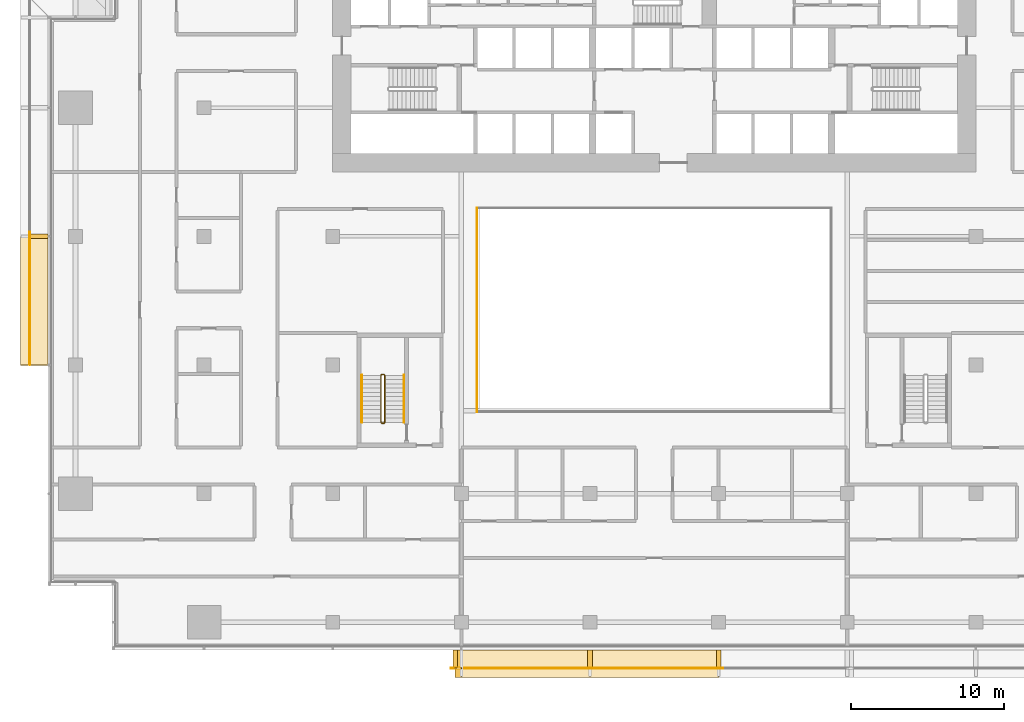
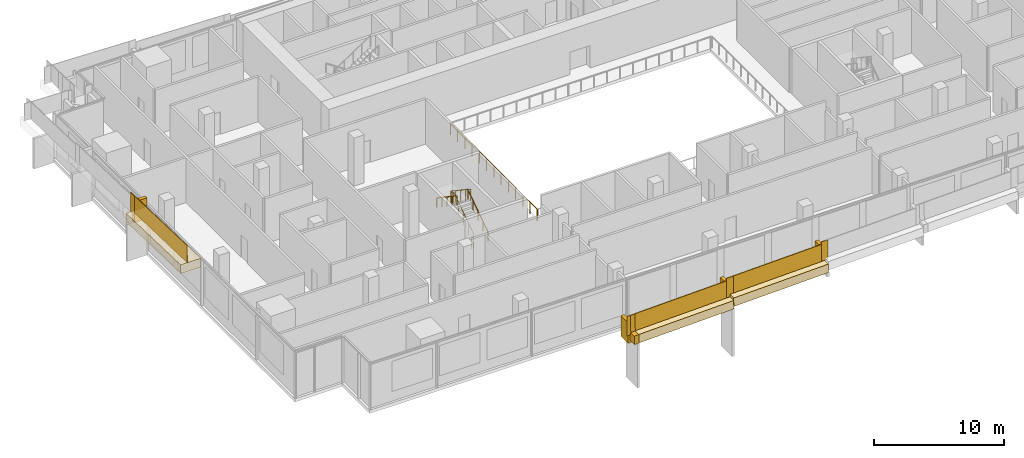
# One storey, part 20 of 24: 12 railings, 8 coverings.
"""IFC4 building model written with IfcOpenShell, lengths in metres."""

import ifcopenshell
import ifcopenshell.guid

model = None  # the IFC model being written
_history = None  # IfcOwnerHistory: only IFC2X3 demands one
_inside = {}  # id of a spatial element -> (the spatial element, [elements in it])
_under = {}  # id of a project, library or spatial element -> (it, [spatial elements below it])
_declared = {}  # id of a project -> (the project, [libraries it declares])
_typed = {}  # id of a type object -> (the type object, [elements of that type])
_made_of = {}  # id of a material, layer set ... -> (it, [elements and type objects made of it])


def new_model(schema):
    """Start an empty IFC model of exactly this schema.

    Asked for "IFC4X3", IfcOpenShell would pick the latest addendum, in which some entities
    have other attributes; the version numbers below select the first issue.
    IFC2X3 requires an IfcOwnerHistory on every rooted entity: one is made here for all.
    """
    global model, _history
    if schema == "IFC4X3":
        model = ifcopenshell.file(schema_version=(4, 3, 0, 0))
    else:
        model = ifcopenshell.file(schema=schema)
    _inside.clear()
    _under.clear()
    _declared.clear()
    _typed.clear()
    _made_of.clear()
    _history = None
    if model.schema == "IFC2X3":
        org = make("IfcOrganization", Name="unknown")
        user = make(
            "IfcPersonAndOrganization",
            ThePerson=make("IfcPerson", FamilyName="unknown"),
            TheOrganization=org,
        )
        app = make(
            "IfcApplication",
            ApplicationDeveloper=org,
            Version="unknown",
            ApplicationFullName="unknown",
            ApplicationIdentifier="unknown",
        )
        _history = make(
            "IfcOwnerHistory",
            OwningUser=user,
            OwningApplication=app,
            ChangeAction="ADDED",
            CreationDate=0,
        )
    return model


def make(cls, **values):
    """One entity of the class cls with the attributes given. An attribute that is None is left unset."""
    return model.create_entity(
        cls, **{name: value for name, value in values.items() if value is not None}
    )


def rooted(cls, **values):
    """An entity with a GlobalId (a new one), such as an element, a storey or a relation."""
    return make(cls, GlobalId=ifcopenshell.guid.new(), OwnerHistory=_history, **values)


def si_unit(unit_type, name, prefix=None):
    """IfcSIUnit, for example si_unit("LENGTHUNIT", "METRE", prefix="MILLI")."""
    return make("IfcSIUnit", UnitType=unit_type, Prefix=prefix, Name=name)


def assignment(units):
    """IfcUnitAssignment: the units of a project."""
    return None if units is None else make("IfcUnitAssignment", Units=units)


def point(xyz):
    """IfcCartesianPoint."""
    return None if xyz is None else make("IfcCartesianPoint", Coordinates=xyz)


def direction(xyz):
    """IfcDirection."""
    return None if xyz is None else make("IfcDirection", DirectionRatios=xyz)


def frame(location, z_axis=None, x_axis=None):
    """IfcAxis2Placement3D, a coordinate frame: its origin and axes. An axis left out is left unset."""
    return make(
        "IfcAxis2Placement3D",
        Location=point(location),
        Axis=direction(z_axis),
        RefDirection=direction(x_axis),
    )


def frame_2d(location, x_axis=None):
    """IfcAxis2Placement2D, a coordinate frame in the plane: its origin and x axis."""
    return make(
        "IfcAxis2Placement2D", Location=point(location), RefDirection=direction(x_axis)
    )


def origin():
    """The frame at (0, 0, 0) with its axes left unset."""
    return frame((0.0, 0.0, 0.0))


def origin_2d():
    """The frame at (0, 0) in the plane with its x axis left unset."""
    return frame_2d((0.0, 0.0))


def place(relative_to, where):
    """IfcLocalPlacement: puts the frame where relative to a parent placement (None: the world)."""
    return make(
        "IfcLocalPlacement", PlacementRelTo=relative_to, RelativePlacement=where
    )


def context(
    kind, dimensions, precision=None, world=None, true_north=None, identifier=None
):
    """IfcGeometricRepresentationContext, for example the 3D "Model" context."""
    return make(
        "IfcGeometricRepresentationContext",
        ContextIdentifier=identifier,
        ContextType=kind,
        CoordinateSpaceDimension=dimensions,
        Precision=precision,
        WorldCoordinateSystem=world,
        TrueNorth=true_north,
    )


def subcontext(parent, identifier, kind, view, scale=None):
    """IfcGeometricRepresentationSubContext, for example "Body" below "Model"."""
    return make(
        "IfcGeometricRepresentationSubContext",
        ContextIdentifier=identifier,
        ContextType=kind,
        ParentContext=parent,
        TargetScale=scale,
        TargetView=view,
    )


def project(units=None, contexts=None):
    """IfcProject with its units and contexts."""
    return rooted(
        "IfcProject",
        Name="project",
        RepresentationContexts=contexts,
        UnitsInContext=assignment(units),
    )


def spatial(cls, under=None, at=None, **own):
    """A site, building, storey or space (cls), placed at a placement, below another one or the project."""
    s = rooted(cls, ObjectPlacement=at, **own)
    if under is not None:
        _under.setdefault(under.id(), (under, []))[1].append(s)
    return s


def polyline(points):
    """IfcPolyline through the points."""
    return make("IfcPolyline", Points=[point(p) for p in points])


def profile(cls, at=None, kind="AREA", **sizes):
    """A parametric profile (cls). Its sizes go by their IFC names, for example OverallWidth=200.0."""
    return make(cls, ProfileType=kind, Position=at, **sizes)


def rectangle(**sizes):
    """IfcRectangleProfileDef."""
    return profile("IfcRectangleProfileDef", **sizes)


def circle(**sizes):
    """IfcCircleProfileDef."""
    return profile("IfcCircleProfileDef", **sizes)


def outline(outer, holes=None, kind="AREA"):
    """IfcArbitraryClosedProfileDef: a profile drawn as a closed curve; with holes, ...WithVoids."""
    if holes is None:
        return make("IfcArbitraryClosedProfileDef", ProfileType=kind, OuterCurve=outer)
    return make(
        "IfcArbitraryProfileDefWithVoids",
        ProfileType=kind,
        OuterCurve=outer,
        InnerCurves=holes,
    )


def extrude(swept, where, along, depth):
    """IfcExtrudedAreaSolid: the profile swept, set in the frame where, extruded along a direction by depth."""
    return make(
        "IfcExtrudedAreaSolid",
        SweptArea=swept,
        Position=where,
        ExtrudedDirection=direction(along),
        Depth=depth,
    )


def shape(context_of_items, identifier, shape_type, items):
    """IfcShapeRepresentation: the items that make up one representation, for example the "Body"."""
    return make(
        "IfcShapeRepresentation",
        ContextOfItems=context_of_items,
        RepresentationIdentifier=identifier,
        RepresentationType=shape_type,
        Items=items,
    )


def material(Name=None, Category=None):
    """IfcMaterial."""
    return make("IfcMaterial", Name=Name, Category=Category)


def layer(
    of_material, thickness, ventilated=None, Name=None, Category=None, Priority=None
):
    """IfcMaterialLayer: one layer of a wall or slab, of a material (None: an air gap)."""
    return make(
        "IfcMaterialLayer",
        Material=of_material,
        LayerThickness=thickness,
        IsVentilated=ventilated,
        Name=Name,
        Category=Category,
        Priority=Priority,
    )


def layer_set(layers, Name=None):
    """IfcMaterialLayerSet."""
    return make("IfcMaterialLayerSet", MaterialLayers=layers, LayerSetName=Name)


def made_of(thing, what):
    """Note that an element or type object is made of a material, layer set ...; save() writes the relation."""
    if what is not None:
        _made_of.setdefault(what.id(), (what, []))[1].append(thing)
    return thing


def type_object(cls, material=None, **own):
    """A type object (cls), such as IfcWallType, which elements share."""
    return made_of(rooted(cls, **own), material)


def element(
    cls,
    number,
    at=None,
    inside=None,
    cuts=None,
    type_object=None,
    material=None,
    context=None,
    identifier="Body",
    shape_type=None,
    held_by="IfcProductDefinitionShape",
    body=None,
    shapes=None,
    **own,
):
    """One element of the class cls, such as IfcWall. Its Tag is "e" and its number.

    at: its placement. inside: the storey or other place that contains it. cuts: it is an
    opening in that element (IfcRelVoidsElement). A single representation is given by context,
    identifier, shape_type and body (its items); several are given by shapes. held_by: the class
    of the entity that holds the representations. save() writes the other relations.
    """
    e = rooted(cls, Tag="e%d" % number, ObjectPlacement=at, **own)
    if body is not None:
        shapes = [shape(context, identifier, shape_type, body)]
    if shapes is not None:
        e.Representation = make(held_by, Representations=shapes)
    if inside is not None:
        _inside.setdefault(inside.id(), (inside, []))[1].append(e)
    if cuts is not None:
        rooted(
            "IfcRelVoidsElement", RelatingBuildingElement=cuts, RelatedOpeningElement=e
        )
    if type_object is not None:
        _typed.setdefault(type_object.id(), (type_object, []))[1].append(e)
    return made_of(e, material)


def aggregate(whole, parts):
    """IfcRelAggregates: a whole, such as a stair, and the parts it consists of."""
    return rooted("IfcRelAggregates", RelatingObject=whole, RelatedObjects=parts)


def save(model, path):
    """Write the relations noted so far, then the file.

    IfcRelAggregates (storeys below a building ...), IfcRelContainedInSpatialStructure (elements
    in a storey), IfcRelDefinesByType, IfcRelAssociatesMaterial and IfcRelDeclares: one each for
    every whole, place, type object, material and project.
    """
    for whole, parts in _under.values():
        aggregate(whole, parts)
    for where, things in _inside.values():
        rooted(
            "IfcRelContainedInSpatialStructure",
            RelatedElements=things,
            RelatingStructure=where,
        )
    for kind, things in _typed.values():
        rooted("IfcRelDefinesByType", RelatedObjects=things, RelatingType=kind)
    for what, things in _made_of.values():
        rooted("IfcRelAssociatesMaterial", RelatedObjects=things, RelatingMaterial=what)
    for by, libraries in _declared.values():
        rooted("IfcRelDeclares", RelatingContext=by, RelatedDefinitions=libraries)
    model.write(path)


model = new_model("IFC4")

# Units and contexts
model_context = context("Model", 3, precision=1e-05, world=origin(), true_north=direction((0.0, 1.0)))
body_context = subcontext(model_context, "Body", "Model", "MODEL_VIEW")
ifc_project = project(units=[si_unit("LENGTHUNIT", "METRE"), si_unit("AREAUNIT", "SQUARE_METRE"), si_unit("VOLUMEUNIT", "CUBIC_METRE"), si_unit("PLANEANGLEUNIT", "RADIAN"), si_unit("MASSUNIT", "GRAM", prefix="KILO")], contexts=[model_context])

# Site, building, storey
site_placement = place(None, origin())
site = spatial("IfcSite", under=ifc_project, at=site_placement, CompositionType="ELEMENT")
building_placement = place(site_placement, origin())
building = spatial("IfcBuilding", under=site, at=building_placement, Name="Saffron Gate Tower", CompositionType="ELEMENT")
storey_placement = place(building_placement, frame((0.0, 0.0, 28.199951171875)))
storey = spatial("IfcBuildingStorey", under=building, at=storey_placement, Name="L05", CompositionType="ELEMENT", Elevation=28.199951171875)

# Railings
ifc_material_1 = material(Name="Stainless steel and laminated glass", Category="steel")
railing_type_1 = type_object("IfcRailingType", Name="AG1 Atrium edge guard 1100", PredefinedType="GUARDRAIL", material=ifc_material_1)
railing_1_placement = place(storey_placement, frame((76.02001953125, 45.5400390625, 0.0)))
element("IfcRailing", 1, at=railing_1_placement, inside=storey, type_object=railing_type_1, Name="Guard S2-1", PredefinedType="GUARDRAIL", context=body_context, shape_type="SweptSolid", body=[
    extrude(circle(Radius=0.02392578125, at=origin_2d()), frame((0.0, 0.0, 1.076171875), z_axis=(0.0, 1.0, 0.0), x_axis=(-1.0, 0.0, 0.0)), (0.0, 0.0, 1.0), 13.320068359375),
    extrude(circle(Radius=0.02099609375, at=origin_2d()), origin(), (0.0, 0.0, 1.0), 1.052001953125),
    extrude(circle(Radius=0.02099609375, at=origin_2d()), frame((0.0, 1.110107421875, 0.0)), (0.0, 0.0, 1.0), 1.052001953125),
    extrude(circle(Radius=0.02099609375, at=origin_2d()), frame((0.0, 2.219970703125, 0.0)), (0.0, 0.0, 1.0), 1.052001953125),
    extrude(circle(Radius=0.02099609375, at=origin_2d()), frame((0.0, 3.330078125, 0.0)), (0.0, 0.0, 1.0), 1.052001953125),
    extrude(circle(Radius=0.02099609375, at=origin_2d()), frame((0.0, 4.43994140625, 0.0)), (0.0, 0.0, 1.0), 1.052001953125),
    extrude(circle(Radius=0.02099609375, at=origin_2d()), frame((0.0, 5.550048828125, 0.0)), (0.0, 0.0, 1.0), 1.052001953125),
    extrude(circle(Radius=0.02099609375, at=origin_2d()), frame((0.0, 6.66015625, 0.0)), (0.0, 0.0, 1.0), 1.052001953125),
    extrude(circle(Radius=0.02099609375, at=origin_2d()), frame((0.0, 7.77001953125, 0.0)), (0.0, 0.0, 1.0), 1.052001953125),
    extrude(circle(Radius=0.02099609375, at=origin_2d()), frame((0.0, 8.880126953125, 0.0)), (0.0, 0.0, 1.0), 1.052001953125),
    extrude(circle(Radius=0.02099609375, at=origin_2d()), frame((0.0, 9.989990234375, 0.0)), (0.0, 0.0, 1.0), 1.052001953125),
    extrude(circle(Radius=0.02099609375, at=origin_2d()), frame((0.0, 11.10009765625, 0.0)), (0.0, 0.0, 1.0), 1.052001953125),
    extrude(circle(Radius=0.02099609375, at=origin_2d()), frame((0.0, 12.2099609375, 0.0)), (0.0, 0.0, 1.0), 1.052001953125),
    extrude(circle(Radius=0.02099609375, at=origin_2d()), frame((0.0, 13.320068359375, 0.0)), (0.0, 0.0, 1.0), 1.052001953125),
])
railing_type_2 = type_object("IfcRailingType", Name="CR1 Stair guard 1100", PredefinedType="GUARDRAIL", material=ifc_material_1)
railing_2_placement = place(storey_placement, frame((69.800048828125, 44.800048828125, 0.0)))
element("IfcRailing", 2, at=railing_2_placement, inside=storey, type_object=railing_type_2, Name="L05 ST-D stair guard 1", PredefinedType="GUARDRAIL", context=body_context, shape_type="SweptSolid", body=[
    extrude(circle(Radius=0.02392578125, at=origin_2d()), frame((0.0, 0.0, 1.076171875), z_axis=(1.0, 0.0, 0.0), x_axis=(0.0, 1.0, 0.0)), (0.0, 0.0, 1.0), 0.14990234375),
    extrude(circle(Radius=0.02392578125, at=origin_2d()), frame((0.14990234375, 0.0, 1.076171875), z_axis=(0.249726431254, 0.249726431254, 0.935560483917), x_axis=(-0.707106781187, 0.707106781187, 0.0)), (0.0, 0.0, 1.0), 0.200439453125),
    extrude(circle(Radius=0.02392578125, at=origin_2d()), frame((0.199951171875, 0.050048828125, 1.263671875), z_axis=(0.0, 0.830893310487, 0.556431762742), x_axis=(-1.0, 0.0, 0.0)), (0.0, 0.0, 1.0), 3.70654296875),
    extrude(circle(Radius=0.02392578125, at=origin_2d()), frame((0.199951171875, 3.1298828125, 3.326171875), z_axis=(-0.707106781187, 0.707106781187, 0.0), x_axis=(-0.707106781187, -0.707106781187, 0.0)), (0.0, 0.0, 1.0), 0.07080078125),
    extrude(circle(Radius=0.02392578125, at=origin_2d()), frame((0.14990234375, 3.179931640625, 3.326171875), z_axis=(-1.0, 0.0, 0.0), x_axis=(0.0, -1.0, 0.0)), (0.0, 0.0, 1.0), 0.14990234375),
    extrude(circle(Radius=0.02392578125, at=origin_2d()), frame((0.0, 3.179931640625, 3.326171875), z_axis=(-0.249726431254, -0.249726431254, 0.935560483917), x_axis=(0.707106781187, -0.707106781187, 0.0)), (0.0, 0.0, 1.0), 0.200439453125),
    extrude(circle(Radius=0.02392578125, at=origin_2d()), frame((-0.050048828125, 3.1298828125, 3.513671875), z_axis=(0.0, -0.830893310487, 0.556431762742), x_axis=(1.0, 0.0, 0.0)), (0.0, 0.0, 1.0), 3.70654296875),
    extrude(circle(Radius=0.02099609375, at=origin_2d()), origin(), (0.0, 0.0, 1.0), 1.052001953125),
    extrude(circle(Radius=0.02099609375, at=origin_2d()), frame((0.14990234375, 0.0, 0.0)), (0.0, 0.0, 1.0), 1.052001953125),
    extrude(circle(Radius=0.02099609375, at=origin_2d()), frame((0.199951171875, 0.050048828125, 0.1875)), (0.0, 0.0, 1.0), 1.052001953125),
    extrude(circle(Radius=0.02099609375, at=origin_2d()), frame((0.199951171875, 0.820068359375, 0.703125)), (0.0, 0.0, 1.0), 1.052001953125),
    extrude(circle(Radius=0.02099609375, at=origin_2d()), frame((0.199951171875, 1.58984375, 1.21875)), (0.0, 0.0, 1.0), 1.052001953125),
    extrude(circle(Radius=0.02099609375, at=origin_2d()), frame((0.199951171875, 2.35986328125, 1.734375)), (0.0, 0.0, 1.0), 1.052001953125),
    extrude(circle(Radius=0.02099609375, at=origin_2d()), frame((0.199951171875, 3.1298828125, 2.25)), (0.0, 0.0, 1.0), 1.052001953125),
    extrude(circle(Radius=0.02099609375, at=origin_2d()), frame((0.14990234375, 3.179931640625, 2.25)), (0.0, 0.0, 1.0), 1.052001953125),
    extrude(circle(Radius=0.02099609375, at=origin_2d()), frame((0.0, 3.179931640625, 2.25)), (0.0, 0.0, 1.0), 1.052001953125),
    extrude(circle(Radius=0.02099609375, at=origin_2d()), frame((-0.050048828125, 3.1298828125, 2.4375)), (0.0, 0.0, 1.0), 1.052001953125),
    extrude(circle(Radius=0.02099609375, at=origin_2d()), frame((-0.050048828125, 2.35986328125, 2.953125)), (0.0, 0.0, 1.0), 1.052001953125),
    extrude(circle(Radius=0.02099609375, at=origin_2d()), frame((-0.050048828125, 1.58984375, 3.46875)), (0.0, 0.0, 1.0), 1.052001953125),
    extrude(circle(Radius=0.02099609375, at=origin_2d()), frame((-0.050048828125, 0.820068359375, 3.984375)), (0.0, 0.0, 1.0), 1.052001953125),
    extrude(circle(Radius=0.02099609375, at=origin_2d()), frame((-0.050048828125, 0.050048828125, 4.5)), (0.0, 0.0, 1.0), 1.052001953125),
])
ifc_material_2 = material(Name="Stainless steel", Category="steel")
railing_type_3 = type_object("IfcRailingType", Name="CR2 Stair handrail 900", PredefinedType="HANDRAIL", material=ifc_material_2)
railing_3_placement = place(storey_placement, frame((71.25, 44.85009765625, 0.1875)))
element("IfcRailing", 3, at=railing_3_placement, inside=storey, type_object=railing_type_3, Name="L05 ST-D stair handrail 1", PredefinedType="HANDRAIL", context=body_context, shape_type="SweptSolid", body=[
    extrude(circle(Radius=0.02392578125, at=origin_2d()), frame((0.0, 0.0, 0.8759765625), z_axis=(0.0, 0.830893310487, 0.556431762742), x_axis=(-1.0, 0.0, 0.0)), (0.0, 0.0, 1.0), 3.70654296875),
    extrude(circle(Radius=0.02099609375, at=origin_2d()), origin(), (0.0, 0.0, 1.0), 0.851806640625),
    extrude(circle(Radius=0.02099609375, at=origin_2d()), frame((0.0, 0.77001953125, 0.515625)), (0.0, 0.0, 1.0), 0.851806640625),
    extrude(circle(Radius=0.02099609375, at=origin_2d()), frame((0.0, 1.5400390625, 1.03125)), (0.0, 0.0, 1.0), 0.851806640625),
    extrude(circle(Radius=0.02099609375, at=origin_2d()), frame((0.0, 2.309814453125, 1.546875)), (0.0, 0.0, 1.0), 0.851806640625),
    extrude(circle(Radius=0.02099609375, at=origin_2d()), frame((0.0, 3.079833984375, 2.0625)), (0.0, 0.0, 1.0), 0.851806640625),
])
railing_4_placement = place(storey_placement, frame((68.5, 47.929931640625, 2.4375)))
element("IfcRailing", 4, at=railing_4_placement, inside=storey, type_object=railing_type_3, Name="L05 ST-D stair handrail 2", PredefinedType="HANDRAIL", context=body_context, shape_type="SweptSolid", body=[
    extrude(circle(Radius=0.02392578125, at=origin_2d()), frame((0.0, 0.0, 0.8759765625), z_axis=(0.0, -0.830893310487, 0.556431762742), x_axis=(1.0, 0.0, 0.0)), (0.0, 0.0, 1.0), 3.70654296875),
    extrude(circle(Radius=0.02099609375, at=origin_2d()), origin(), (0.0, 0.0, 1.0), 0.851806640625),
    extrude(circle(Radius=0.02099609375, at=origin_2d()), frame((0.0, -0.77001953125, 0.515625)), (0.0, 0.0, 1.0), 0.851806640625),
    extrude(circle(Radius=0.02099609375, at=origin_2d()), frame((0.0, -1.5400390625, 1.03125)), (0.0, 0.0, 1.0), 0.851806640625),
    extrude(circle(Radius=0.02099609375, at=origin_2d()), frame((0.0, -2.309814453125, 1.546875)), (0.0, 0.0, 1.0), 0.851806640625),
    extrude(circle(Radius=0.02099609375, at=origin_2d()), frame((0.0, -3.079833984375, 2.0625)), (0.0, 0.0, 1.0), 0.851806640625),
])

# Coverings
ifc_material_3 = material(Name="Timber, thermally modified ash", Category="wood")
ifc_layer_1 = layer(ifc_material_3, 0.800048828125)
ifc_layer_set_1 = layer_set([ifc_layer_1], Name="LD1 ledge timber")
covering_type_1 = type_object("IfcCoveringType", Name="LD1 ledge timber", PredefinedType="CLADDING", material=ifc_layer_set_1)
covering_1_placement = place(storey_placement, frame((48.0, 57.0, 4.200927734375), z_axis=(0.0, 0.028791175352, 0.999585448184), x_axis=(0.0, -0.999585448184, 0.028791175352)))
element("IfcCovering", 5, at=covering_1_placement, inside=storey, type_object=covering_type_1, Name="LEDGE", PredefinedType="CLADDING", context=body_context, shape_type="SweptSolid", body=[
    extrude(outline(polyline([(0.0, 0.0), (8.403385982666892, 0.0), (8.403385982666892, -1.800048828125), (0.0, -1.800048828125), (0.0, 0.0)])), origin(), (0.0, 0.0, -1.0), 0.800048828125),
])
covering_2_placement = place(storey_placement, frame((74.60009765625, 30.0, 0.190673828125), z_axis=(-0.028681724025, 0.0, 0.999588594726), x_axis=(0.999588594726, 0.0, 0.028681724025)))
element("IfcCovering", 6, at=covering_2_placement, inside=storey, type_object=covering_type_1, Name="LEDGE", PredefinedType="CLADDING", context=body_context, shape_type="SweptSolid", body=[
    extrude(outline(polyline([(0.0, 0.0), (0.40006693339621563, 0.0), (0.40006693339621563, -1.8000488281250004), (0.0, -1.8000488281250004), (0.0, 0.0)])), origin(), (0.0, 0.0, -1.0), 0.800048828125),
])
covering_3_placement = place(storey_placement, frame((75.0, 30.0, 0.213134765625), z_axis=(-0.028791175352, 0.0, 0.999585448184), x_axis=(0.999585448184, 0.0, 0.028791175352)))
element("IfcCovering", 7, at=covering_3_placement, inside=storey, type_object=covering_type_1, Name="LEDGE", PredefinedType="CLADDING", context=body_context, shape_type="SweptSolid", body=[
    extrude(outline(polyline([(0.0, 0.0), (8.403385982666892, 0.0), (8.403385982666892, -1.800048828125), (0.0, -1.800048828125), (0.0, 0.0)])), origin(), (0.0, 0.0, -1.0), 0.800048828125),
])
covering_4_placement = place(storey_placement, frame((83.39990234375, 30.0, 0.686279296875), z_axis=(-0.028790339263, 0.0, 0.999585472266), x_axis=(0.999585472266, 0.0, 0.028790339263)))
element("IfcCovering", 8, at=covering_4_placement, inside=storey, type_object=covering_type_1, Name="LEDGE", PredefinedType="CLADDING", context=body_context, shape_type="SweptSolid", body=[
    extrude(outline(polyline([(0.0, 0.0), (8.403630022085892, 0.0), (8.403630022085892, -1.800048828125), (0.0, -1.800048828125), (0.0, 0.0)])), origin(), (0.0, 0.0, -1.0), 0.800048828125),
])
ifc_layer_2 = layer(ifc_material_3, 0.300048828125)
ifc_layer_set_2 = layer_set([ifc_layer_2], Name="LD3 ledge riser fin")
covering_type_2 = type_object("IfcCoveringType", Name="LD3 ledge riser fin", PredefinedType="CLADDING", material=ifc_layer_set_2)
covering_5_placement = place(storey_placement, frame((47.43994140625, 57.0, 3.169677734375), z_axis=(0.0, 0.0, 1.0), x_axis=(0.0, -1.0, 0.0)))
element("IfcCovering", 9, at=covering_5_placement, inside=storey, type_object=covering_type_2, Name="LEDGE riser fin", PredefinedType="CLADDING", context=body_context, shape_type="SweptSolid", body=[
    extrude(rectangle(XDim=0.300048828125, YDim=1.1201171875, at=origin_2d()), origin(), (0.0, 0.0, 1.0), 1.93115234375),
])
covering_6_placement = place(storey_placement, frame((74.60009765625, 29.43994140625, -0.82958984375), z_axis=(0.0, 0.0, 1.0), x_axis=(1.0, 0.0, 0.0)))
element("IfcCovering", 10, at=covering_6_placement, inside=storey, type_object=covering_type_2, Name="LEDGE riser fin", PredefinedType="CLADDING", context=body_context, shape_type="SweptSolid", body=[
    extrude(rectangle(XDim=0.300048828125, YDim=1.1201171875, at=origin_2d()), origin(), (0.0, 0.0, 1.0), 1.920166015625),
])
for number, where, z_axis, x_axis, name in (
    (11, (83.39990234375, 29.43994140625, -0.3447265625), (0.0, 0.0, 1.0), (1.0, 0.0, 0.0), "LEDGE riser fin"),
    (12, (91.800048828125, 29.43994140625, 0.128173828125), (0.0, 0.0, 1.0), (1.0, 0.0, 0.0), "LEDGE riser fin"),
):
    element("IfcCovering", number, at=place(storey_placement, frame(where, z_axis=z_axis, x_axis=x_axis)), inside=storey, type_object=covering_type_2, Name=name, PredefinedType="CLADDING", context=body_context, shape_type="SweptSolid", body=[
        extrude(rectangle(XDim=0.300048828125, YDim=1.1201171875, at=origin_2d()), origin(), (0.0, 0.0, 1.0), 1.93115234375),
    ])

# Railings
railing_type_4 = type_object("IfcRailingType", Name="LG1 ledge balustrade", PredefinedType="BALUSTRADE", material=ifc_material_3)
railing_5_placement = place(storey_placement, frame((46.800048828125, 57.0, 4.200927734375)))
element("IfcRailing", 13, at=railing_5_placement, inside=storey, type_object=railing_type_4, Name="LEDGE BALUSTRADE", PredefinedType="BALUSTRADE", context=body_context, shape_type="SweptSolid", body=[
    extrude(rectangle(XDim=0.06005859375, YDim=1.60009765625, at=origin_2d()), frame((0.0, 0.0, 0.800048828125), z_axis=(0.0, -0.999585448184, 0.028791175352), x_axis=(1.0, 0.0, 0.0)), (0.0, 0.0, 1.0), 8.4033203125),
])
railing_6_placement = place(storey_placement, frame((46.800048828125, 57.300048828125, 3.9697265625)))
element("IfcRailing", 14, at=railing_6_placement, inside=storey, type_object=railing_type_4, Name="LEDGE BALUSTRADE", PredefinedType="BALUSTRADE", context=body_context, shape_type="SweptSolid", body=[
    extrude(rectangle(XDim=0.06005859375, YDim=1.8310546875, at=origin_2d()), frame((0.0, 0.0, 0.91552734375), z_axis=(0.0, -1.0, 0.0), x_axis=(1.0, 0.0, 0.0)), (0.0, 0.0, 1.0), 0.60009765625),
])
railing_7_placement = place(storey_placement, frame((74.60009765625, 28.800048828125, 0.190673828125)))
element("IfcRailing", 15, at=railing_7_placement, inside=storey, type_object=railing_type_4, Name="LEDGE BALUSTRADE", PredefinedType="BALUSTRADE", context=body_context, shape_type="SweptSolid", body=[
    extrude(rectangle(XDim=0.06005859375, YDim=1.60009765625, at=origin_2d()), frame((0.0, 0.0, 0.800048828125), z_axis=(0.999588594726, 0.0, 0.028681724025), x_axis=(0.0, 1.0, 0.0)), (0.0, 0.0, 1.0), 0.400146484375),
])
railing_8_placement = place(storey_placement, frame((74.300048828125, 28.800048828125, -0.029541015625)))
element("IfcRailing", 16, at=railing_8_placement, inside=storey, type_object=railing_type_4, Name="LEDGE BALUSTRADE", PredefinedType="BALUSTRADE", context=body_context, shape_type="SweptSolid", body=[
    extrude(rectangle(XDim=0.06005859375, YDim=1.820068359375, at=origin_2d()), frame((0.0, 0.0, 0.91015625), z_axis=(1.0, 0.0, 0.0), x_axis=(0.0, 1.0, 0.0)), (0.0, 0.0, 1.0), 0.599853515625),
])
railing_9_placement = place(storey_placement, frame((75.0, 28.800048828125, 0.213134765625)))
element("IfcRailing", 17, at=railing_9_placement, inside=storey, type_object=railing_type_4, Name="LEDGE BALUSTRADE", PredefinedType="BALUSTRADE", context=body_context, shape_type="SweptSolid", body=[
    extrude(rectangle(XDim=0.06005859375, YDim=1.60009765625, at=origin_2d()), frame((0.0, 0.0, 0.800048828125), z_axis=(0.999585448184, 0.0, 0.028791175352), x_axis=(0.0, 1.0, 0.0)), (0.0, 0.0, 1.0), 8.4033203125),
])
railing_10_placement = place(storey_placement, frame((83.39990234375, 28.800048828125, 0.686279296875)))
element("IfcRailing", 18, at=railing_10_placement, inside=storey, type_object=railing_type_4, Name="LEDGE BALUSTRADE", PredefinedType="BALUSTRADE", context=body_context, shape_type="SweptSolid", body=[
    extrude(rectangle(XDim=0.06005859375, YDim=1.60009765625, at=origin_2d()), frame((0.0, 0.0, 0.800048828125), z_axis=(0.999585472266, 0.0, 0.028790339263), x_axis=(0.0, 1.0, 0.0)), (0.0, 0.0, 1.0), 8.403564453125),
])
railing_11_placement = place(storey_placement, frame((83.10009765625, 28.800048828125, 0.455078125)))
element("IfcRailing", 19, at=railing_11_placement, inside=storey, type_object=railing_type_4, Name="LEDGE BALUSTRADE", PredefinedType="BALUSTRADE", context=body_context, shape_type="SweptSolid", body=[
    extrude(rectangle(XDim=0.06005859375, YDim=1.8310546875, at=origin_2d()), frame((0.0, 0.0, 0.91552734375), z_axis=(1.0, 0.0, 0.0), x_axis=(0.0, 1.0, 0.0)), (0.0, 0.0, 1.0), 0.599853515625),
])
railing_12_placement = place(storey_placement, frame((91.5, 28.800048828125, 0.92822265625)))
element("IfcRailing", 20, at=railing_12_placement, inside=storey, type_object=railing_type_4, Name="LEDGE BALUSTRADE", PredefinedType="BALUSTRADE", context=body_context, shape_type="SweptSolid", body=[
    extrude(rectangle(XDim=0.06005859375, YDim=1.8310546875, at=origin_2d()), frame((0.0, 0.0, 0.91552734375), z_axis=(1.0, 0.0, 0.0), x_axis=(0.0, 1.0, 0.0)), (0.0, 0.0, 1.0), 0.60009765625),
])

save(model, "model.ifc")
